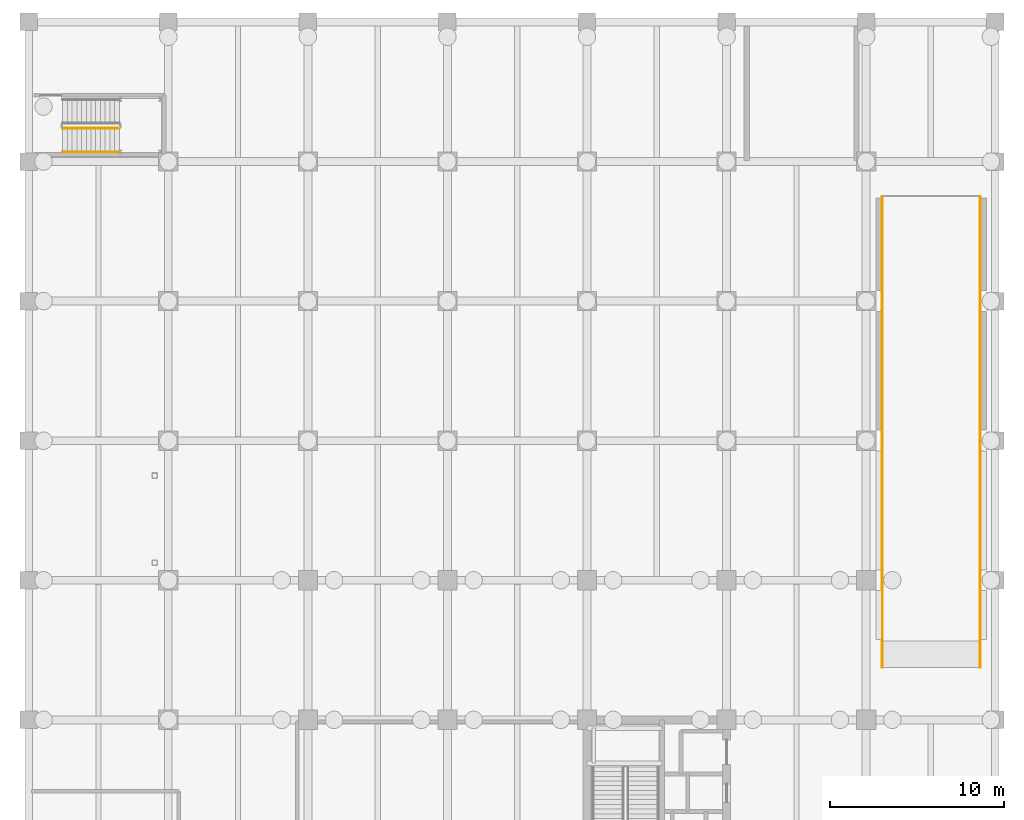
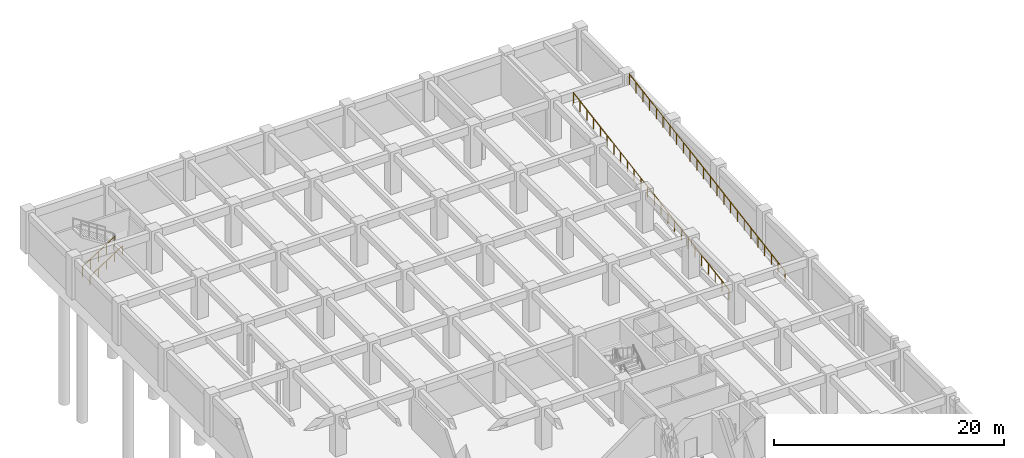
# One storey, part 14 of 15: 4 railings.
"""IFC4 building model written with IfcOpenShell, lengths in metres."""

from ifc_helpers import new_model, si_unit, direction, frame, origin, origin_2d, place, context, subcontext, project, spatial, circle, extrude, material, type_object, element, save


model = new_model("IFC4")

# Units and contexts
model_context = context("Model", 3, precision=1e-05, world=origin(), true_north=direction((0.0, 1.0)))
body_context = subcontext(model_context, "Body", "Model", "MODEL_VIEW")
ifc_project = project(units=[si_unit("LENGTHUNIT", "METRE"), si_unit("AREAUNIT", "SQUARE_METRE"), si_unit("VOLUMEUNIT", "CUBIC_METRE"), si_unit("PLANEANGLEUNIT", "RADIAN"), si_unit("MASSUNIT", "GRAM", prefix="KILO")], contexts=[model_context])

# Site, building, storey
site_placement = place(None, origin())
site = spatial("IfcSite", under=ifc_project, at=site_placement, CompositionType="ELEMENT")
building_placement = place(site_placement, origin())
building = spatial("IfcBuilding", under=site, at=building_placement, Name="Canggui Botanical Conservatory", CompositionType="ELEMENT")
storey_placement = place(building_placement, frame((0.0, 0.0, -9.0)))
storey = spatial("IfcBuildingStorey", under=building, at=storey_placement, Name="B2", CompositionType="ELEMENT", Elevation=-9.0)

# Railings
ifc_material_1 = material(Name="Stainless Steel 304", Category="steel")
railing_type_1 = type_object("IfcRailingType", Name="RAIL-GUARD-1100", PredefinedType="BALUSTRADE", material=ifc_material_1)
railing_1_placement = place(storey_placement, frame((123.949951171875, 99.89990234375, 0.173095703125)))
element("IfcRailing", 1, at=railing_1_placement, inside=storey, type_object=railing_type_1, Name="B2 ST-G2 stair guard 1", PredefinedType="BALUSTRADE", context=body_context, shape_type="SweptSolid", body=[
    extrude(circle(Radius=0.02392578125, at=origin_2d()), frame((0.0, 0.0, 1.076171875), z_axis=(0.841880617004, 0.0, 0.539663808971), x_axis=(0.0, 1.0, 0.0)), (0.0, 0.0, 1.0), 3.8486328125),
    extrude(circle(Radius=0.02099609375, at=origin_2d()), origin(), (0.0, 0.0, 1.0), 1.052001953125),
    extrude(circle(Radius=0.02099609375, at=origin_2d()), frame((0.81005859375, 0.0, 0.519287109375)), (0.0, 0.0, 1.0), 1.052001953125),
    extrude(circle(Radius=0.02099609375, at=origin_2d()), frame((1.6201171875, 0.0, 1.03857421875)), (0.0, 0.0, 1.0), 1.052001953125),
    extrude(circle(Radius=0.02099609375, at=origin_2d()), frame((2.429931640625, 0.0, 1.5576171875)), (0.0, 0.0, 1.0), 1.052001953125),
    extrude(circle(Radius=0.02099609375, at=origin_2d()), frame((3.239990234375, 0.0, 2.076904296875)), (0.0, 0.0, 1.0), 1.052001953125),
])
railing_type_2 = type_object("IfcRailingType", Name="RAIL-HAND-900", PredefinedType="HANDRAIL", material=ifc_material_1)
railing_2_placement = place(storey_placement, frame((123.949951171875, 98.550048828125, 0.173095703125)))
element("IfcRailing", 2, at=railing_2_placement, inside=storey, type_object=railing_type_2, Name="B2 ST-G2 stair handrail 1", PredefinedType="HANDRAIL", context=body_context, shape_type="SweptSolid", body=[
    extrude(circle(Radius=0.02392578125, at=origin_2d()), frame((0.0, 0.0, 0.8759765625), z_axis=(0.841880617004, 0.0, 0.539663808971), x_axis=(0.0, 1.0, 0.0)), (0.0, 0.0, 1.0), 3.8486328125),
    extrude(circle(Radius=0.02099609375, at=origin_2d()), origin(), (0.0, 0.0, 1.0), 0.851806640625),
    extrude(circle(Radius=0.02099609375, at=origin_2d()), frame((0.81005859375, 0.0, 0.519287109375)), (0.0, 0.0, 1.0), 0.851806640625),
    extrude(circle(Radius=0.02099609375, at=origin_2d()), frame((1.6201171875, 0.0, 1.03857421875)), (0.0, 0.0, 1.0), 0.851806640625),
    extrude(circle(Radius=0.02099609375, at=origin_2d()), frame((2.429931640625, 0.0, 1.5576171875)), (0.0, 0.0, 1.0), 0.851806640625),
    extrude(circle(Radius=0.02099609375, at=origin_2d()), frame((3.239990234375, 0.0, 2.076904296875)), (0.0, 0.0, 1.0), 0.851806640625),
])
ifc_material_2 = material(Name="Laminated Safety Glass", Category="glass")
railing_type_3 = type_object("IfcRailingType", Name="RAIL-VOID-1150", PredefinedType="BALUSTRADE", material=ifc_material_2)
railing_3_placement = place(storey_placement, frame((170.919921875, 69.0, 0.0)))
element("IfcRailing", 3, at=railing_3_placement, inside=storey, type_object=railing_type_3, Name="Vehicle Ramp VR-02 Sloping West Kerb Guard", PredefinedType="BALUSTRADE", context=body_context, shape_type="SweptSolid", body=[
    extrude(circle(Radius=0.02392578125, at=origin_2d()), frame((0.0, 0.0, 1.1259765625), z_axis=(0.0, 0.986393923832, 0.164398987305), x_axis=(-1.0, 0.0, 0.0)), (0.0, 0.0, 1.0), 27.372314453125),
    extrude(circle(Radius=0.02099609375, at=origin_2d()), origin(), (0.0, 0.0, 1.0), 1.101806640625),
    extrude(circle(Radius=0.02099609375, at=origin_2d()), frame((0.0, 1.173828125, 0.195556640625)), (0.0, 0.0, 1.0), 1.101806640625),
    extrude(circle(Radius=0.02099609375, at=origin_2d()), frame((0.0, 2.347900390625, 0.391357421875)), (0.0, 0.0, 1.0), 1.101806640625),
    extrude(circle(Radius=0.02099609375, at=origin_2d()), frame((0.0, 3.521728515625, 0.5869140625)), (0.0, 0.0, 1.0), 1.101806640625),
    extrude(circle(Radius=0.02099609375, at=origin_2d()), frame((0.0, 4.695556640625, 0.78271484375)), (0.0, 0.0, 1.0), 1.101806640625),
    extrude(circle(Radius=0.02099609375, at=origin_2d()), frame((0.0, 5.86962890625, 0.978271484375)), (0.0, 0.0, 1.0), 1.101806640625),
    extrude(circle(Radius=0.02099609375, at=origin_2d()), frame((0.0, 7.04345703125, 1.173828125)), (0.0, 0.0, 1.0), 1.101806640625),
    extrude(circle(Radius=0.02099609375, at=origin_2d()), frame((0.0, 8.21728515625, 1.36962890625)), (0.0, 0.0, 1.0), 1.101806640625),
    extrude(circle(Radius=0.02099609375, at=origin_2d()), frame((0.0, 9.391357421875, 1.565185546875)), (0.0, 0.0, 1.0), 1.101806640625),
    extrude(circle(Radius=0.02099609375, at=origin_2d()), frame((0.0, 10.565185546875, 1.760986328125)), (0.0, 0.0, 1.0), 1.101806640625),
    extrude(circle(Radius=0.02099609375, at=origin_2d()), frame((0.0, 11.739013671875, 1.95654296875)), (0.0, 0.0, 1.0), 1.101806640625),
    extrude(circle(Radius=0.02099609375, at=origin_2d()), frame((0.0, 12.9130859375, 2.152099609375)), (0.0, 0.0, 1.0), 1.101806640625),
    extrude(circle(Radius=0.02099609375, at=origin_2d()), frame((0.0, 14.0869140625, 2.347900390625)), (0.0, 0.0, 1.0), 1.101806640625),
    extrude(circle(Radius=0.02099609375, at=origin_2d()), frame((0.0, 15.260986328125, 2.54345703125)), (0.0, 0.0, 1.0), 1.101806640625),
    extrude(circle(Radius=0.02099609375, at=origin_2d()), frame((0.0, 16.434814453125, 2.739013671875)), (0.0, 0.0, 1.0), 1.101806640625),
    extrude(circle(Radius=0.02099609375, at=origin_2d()), frame((0.0, 17.608642578125, 2.934814453125)), (0.0, 0.0, 1.0), 1.101806640625),
    extrude(circle(Radius=0.02099609375, at=origin_2d()), frame((0.0, 18.78271484375, 3.13037109375)), (0.0, 0.0, 1.0), 1.101806640625),
    extrude(circle(Radius=0.02099609375, at=origin_2d()), frame((0.0, 19.95654296875, 3.326171875)), (0.0, 0.0, 1.0), 1.101806640625),
    extrude(circle(Radius=0.02099609375, at=origin_2d()), frame((0.0, 21.13037109375, 3.521728515625)), (0.0, 0.0, 1.0), 1.101806640625),
    extrude(circle(Radius=0.02099609375, at=origin_2d()), frame((0.0, 22.304443359375, 3.71728515625)), (0.0, 0.0, 1.0), 1.101806640625),
    extrude(circle(Radius=0.02099609375, at=origin_2d()), frame((0.0, 23.478271484375, 3.9130859375)), (0.0, 0.0, 1.0), 1.101806640625),
    extrude(circle(Radius=0.02099609375, at=origin_2d()), frame((0.0, 24.652099609375, 4.108642578125)), (0.0, 0.0, 1.0), 1.101806640625),
    extrude(circle(Radius=0.02099609375, at=origin_2d()), frame((0.0, 25.826171875, 4.304443359375)), (0.0, 0.0, 1.0), 1.101806640625),
    extrude(circle(Radius=0.02099609375, at=origin_2d()), frame((0.0, 27.0, 4.5)), (0.0, 0.0, 1.0), 1.101806640625),
])
railing_4_placement = place(storey_placement, frame((176.5400390625, 69.0, 0.0)))
element("IfcRailing", 4, at=railing_4_placement, inside=storey, type_object=railing_type_3, Name="Vehicle Ramp VR-02 Sloping East Kerb Guard", PredefinedType="BALUSTRADE", context=body_context, shape_type="SweptSolid", body=[
    extrude(circle(Radius=0.02392578125, at=origin_2d()), frame((0.0, 0.0, 1.1259765625), z_axis=(0.0, 0.986393923832, 0.164398987305), x_axis=(-1.0, 0.0, 0.0)), (0.0, 0.0, 1.0), 27.372314453125),
    extrude(circle(Radius=0.02099609375, at=origin_2d()), origin(), (0.0, 0.0, 1.0), 1.101806640625),
    extrude(circle(Radius=0.02099609375, at=origin_2d()), frame((0.0, 1.173828125, 0.195556640625)), (0.0, 0.0, 1.0), 1.101806640625),
    extrude(circle(Radius=0.02099609375, at=origin_2d()), frame((0.0, 2.347900390625, 0.391357421875)), (0.0, 0.0, 1.0), 1.101806640625),
    extrude(circle(Radius=0.02099609375, at=origin_2d()), frame((0.0, 3.521728515625, 0.5869140625)), (0.0, 0.0, 1.0), 1.101806640625),
    extrude(circle(Radius=0.02099609375, at=origin_2d()), frame((0.0, 4.695556640625, 0.78271484375)), (0.0, 0.0, 1.0), 1.101806640625),
    extrude(circle(Radius=0.02099609375, at=origin_2d()), frame((0.0, 5.86962890625, 0.978271484375)), (0.0, 0.0, 1.0), 1.101806640625),
    extrude(circle(Radius=0.02099609375, at=origin_2d()), frame((0.0, 7.04345703125, 1.173828125)), (0.0, 0.0, 1.0), 1.101806640625),
    extrude(circle(Radius=0.02099609375, at=origin_2d()), frame((0.0, 8.21728515625, 1.36962890625)), (0.0, 0.0, 1.0), 1.101806640625),
    extrude(circle(Radius=0.02099609375, at=origin_2d()), frame((0.0, 9.391357421875, 1.565185546875)), (0.0, 0.0, 1.0), 1.101806640625),
    extrude(circle(Radius=0.02099609375, at=origin_2d()), frame((0.0, 10.565185546875, 1.760986328125)), (0.0, 0.0, 1.0), 1.101806640625),
    extrude(circle(Radius=0.02099609375, at=origin_2d()), frame((0.0, 11.739013671875, 1.95654296875)), (0.0, 0.0, 1.0), 1.101806640625),
    extrude(circle(Radius=0.02099609375, at=origin_2d()), frame((0.0, 12.9130859375, 2.152099609375)), (0.0, 0.0, 1.0), 1.101806640625),
    extrude(circle(Radius=0.02099609375, at=origin_2d()), frame((0.0, 14.0869140625, 2.347900390625)), (0.0, 0.0, 1.0), 1.101806640625),
    extrude(circle(Radius=0.02099609375, at=origin_2d()), frame((0.0, 15.260986328125, 2.54345703125)), (0.0, 0.0, 1.0), 1.101806640625),
    extrude(circle(Radius=0.02099609375, at=origin_2d()), frame((0.0, 16.434814453125, 2.739013671875)), (0.0, 0.0, 1.0), 1.101806640625),
    extrude(circle(Radius=0.02099609375, at=origin_2d()), frame((0.0, 17.608642578125, 2.934814453125)), (0.0, 0.0, 1.0), 1.101806640625),
    extrude(circle(Radius=0.02099609375, at=origin_2d()), frame((0.0, 18.78271484375, 3.13037109375)), (0.0, 0.0, 1.0), 1.101806640625),
    extrude(circle(Radius=0.02099609375, at=origin_2d()), frame((0.0, 19.95654296875, 3.326171875)), (0.0, 0.0, 1.0), 1.101806640625),
    extrude(circle(Radius=0.02099609375, at=origin_2d()), frame((0.0, 21.13037109375, 3.521728515625)), (0.0, 0.0, 1.0), 1.101806640625),
    extrude(circle(Radius=0.02099609375, at=origin_2d()), frame((0.0, 22.304443359375, 3.71728515625)), (0.0, 0.0, 1.0), 1.101806640625),
    extrude(circle(Radius=0.02099609375, at=origin_2d()), frame((0.0, 23.478271484375, 3.9130859375)), (0.0, 0.0, 1.0), 1.101806640625),
    extrude(circle(Radius=0.02099609375, at=origin_2d()), frame((0.0, 24.652099609375, 4.108642578125)), (0.0, 0.0, 1.0), 1.101806640625),
    extrude(circle(Radius=0.02099609375, at=origin_2d()), frame((0.0, 25.826171875, 4.304443359375)), (0.0, 0.0, 1.0), 1.101806640625),
    extrude(circle(Radius=0.02099609375, at=origin_2d()), frame((0.0, 27.0, 4.5)), (0.0, 0.0, 1.0), 1.101806640625),
])

save(model, "model.ifc")
